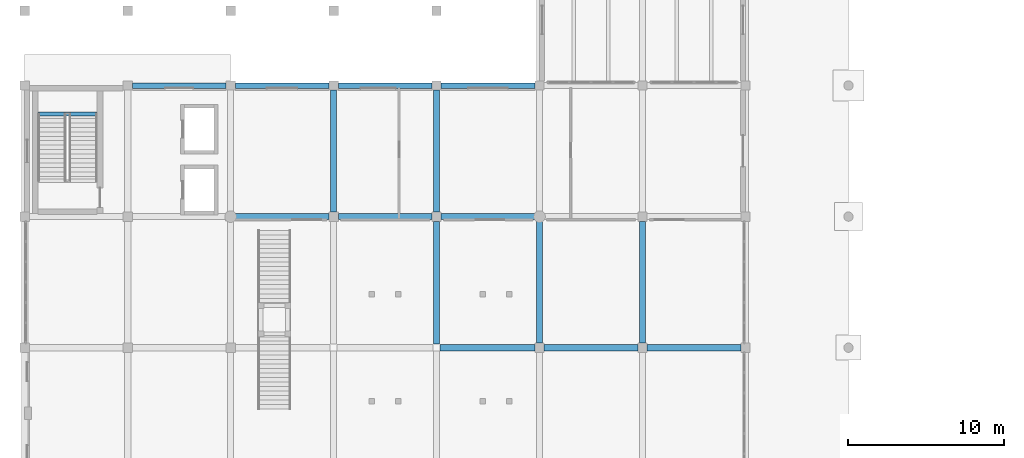
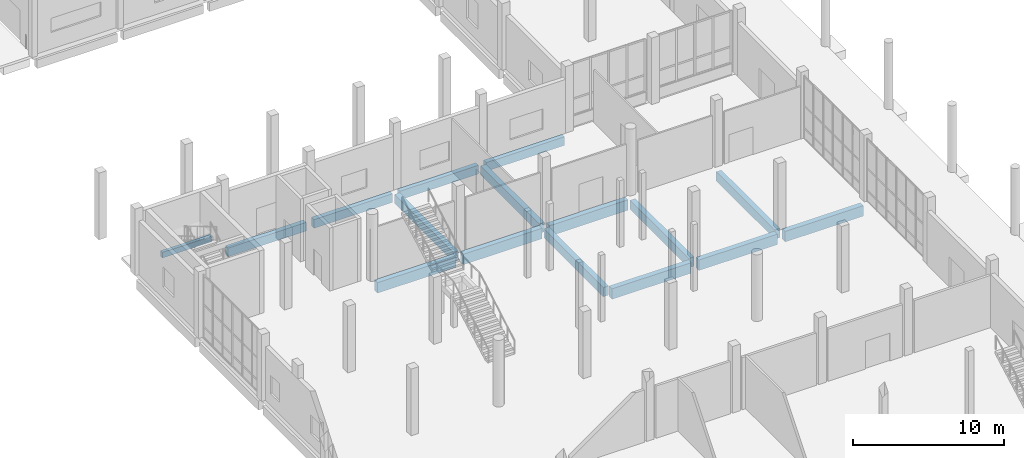
# One storey, part 7 of 64: 16 beams.
"""IFC4 building model written with IfcOpenShell, lengths in metres."""

from ifc_helpers import new_model, si_unit, direction, frame, origin, origin_2d, place, context, subcontext, project, spatial, rectangle, extrude, material, material_profile, profile_set, type_object, element, save


model = new_model("IFC4")

# Units and contexts
model_context = context("Model", 3, precision=1e-05, world=origin(), true_north=direction((0.0, 1.0)))
body_context = subcontext(model_context, "Body", "Model", "MODEL_VIEW")
ifc_project = project(units=[si_unit("LENGTHUNIT", "METRE"), si_unit("AREAUNIT", "SQUARE_METRE"), si_unit("VOLUMEUNIT", "CUBIC_METRE"), si_unit("PLANEANGLEUNIT", "RADIAN"), si_unit("MASSUNIT", "GRAM", prefix="KILO")], contexts=[model_context])

# Site, building, storey
site_placement = place(None, origin())
site = spatial("IfcSite", under=ifc_project, at=site_placement, CompositionType="ELEMENT")
building_placement = place(site_placement, origin())
building = spatial("IfcBuilding", under=site, at=building_placement, Name="Qaldarim Faculty of Natural and Applied Sciences", CompositionType="ELEMENT")
storey_placement = place(building_placement, origin())
storey = spatial("IfcBuildingStorey", under=building, at=storey_placement, Name="L00", CompositionType="ELEMENT", Elevation=0.0)

# Beams
ifc_material_1 = material(Name="Concrete C50/60", Category="concrete")
ifc_material_profile_1 = material_profile(ifc_material_1, rectangle(XDim=0.39990234375, YDim=0.75, at=origin_2d()), Name="RC-B400x750")
ifc_profile_set_1 = profile_set([ifc_material_profile_1], Name="Concrete C50/60")
beam_type_1 = type_object("IfcBeamType", Name="LabGirder-RC400x750", PredefinedType="BEAM", material=ifc_profile_set_1)
beam_1_placement = place(storey_placement, frame((19.800048828125, 75.89990234375, -0.735107421875), z_axis=(0.0, 1.0, 0.0), x_axis=(-1.0, 0.0, 0.0)))
element("IfcBeam", 1, at=beam_1_placement, inside=storey, type_object=beam_type_1, Name="Beam RC-B400x750 B01 X04/Y10-Y11", PredefinedType="BEAM", context=body_context, shape_type="SweptSolid", body=[
    extrude(rectangle(XDim=0.39990234375, YDim=0.75, at=origin_2d()), origin(), (0.0, 0.0, 1.0), 7.800048828125),
])
beam_2_placement = place(storey_placement, frame((26.39990234375, 67.425048828125, -0.735107421875), z_axis=(0.0, 1.0, 0.0), x_axis=(-1.0, 0.0, 0.0)))
element("IfcBeam", 2, at=beam_2_placement, inside=storey, type_object=beam_type_1, Name="Beam RC-B400x750 B01 X05/Y09-Y10", PredefinedType="BEAM", context=body_context, shape_type="SweptSolid", body=[
    extrude(rectangle(XDim=0.39990234375, YDim=0.75, at=origin_2d()), origin(), (0.0, 0.0, 1.0), 7.875),
])
for number, where, z_axis, x_axis, name in (
    (3, (26.39990234375, 75.89990234375, -0.735107421875), (0.0, 1.0, 0.0), (-1.0, 0.0, 0.0), "Beam RC-B400x750 B01 X05/Y10-Y11"),
    (4, (33.0, 67.5, -0.735107421875), (0.0, 1.0, 0.0), (-1.0, 0.0, 0.0), "Beam RC-B400x750 B01 X06/Y09-Y10"),
    (5, (39.60009765625, 67.5, -0.735107421875), (0.0, 1.0, 0.0), (-1.0, 0.0, 0.0), "Beam RC-B400x750 B01 X07/Y09-Y10"),
):
    element("IfcBeam", number, at=place(storey_placement, frame(where, z_axis=z_axis, x_axis=x_axis)), inside=storey, type_object=beam_type_1, Name=name, PredefinedType="BEAM", context=body_context, shape_type="SweptSolid", body=[
        extrude(rectangle(XDim=0.39990234375, YDim=0.75, at=origin_2d()), origin(), (0.0, 0.0, 1.0), 7.800048828125),
    ])
ifc_material_2 = material(Name="Concrete C40/50", Category="concrete")
ifc_material_profile_2 = material_profile(ifc_material_2, rectangle(XDim=0.25, YDim=0.449951171875, at=origin_2d()), Name="RC-LN250x450")
ifc_profile_set_2 = profile_set([ifc_material_profile_2], Name="Concrete C40/50")
beam_type_2 = type_object("IfcBeamType", Name="LandingSupportBeam-RC250x450", PredefinedType="BEAM", material=ifc_profile_set_2)
beam_3_placement = place(storey_placement, frame((0.85009765625, 82.175048828125, 2.264892578125), z_axis=(1.0, 0.0, 0.0), x_axis=(0.0, 1.0, 0.0)))
element("IfcBeam", 6, at=beam_3_placement, inside=storey, type_object=beam_type_2, Name="Stair landing support beam ST-D2 L00", PredefinedType="BEAM", context=body_context, shape_type="SweptSolid", body=[
    extrude(rectangle(XDim=0.25, YDim=0.449951171875, at=origin_2d()), origin(), (0.0, 0.0, 1.0), 3.7998046875),
])
ifc_material_profile_3 = material_profile(ifc_material_1, rectangle(XDim=0.39990234375, YDim=0.85009765625, at=origin_2d()), Name="RC-B400x850")
ifc_profile_set_3 = profile_set([ifc_material_profile_3], Name="Concrete C50/60")
beam_type_3 = type_object("IfcBeamType", Name="PodiumGirder-RC400x850", PredefinedType="BEAM", material=ifc_profile_set_3)
beam_4_placement = place(storey_placement, frame((26.625, 67.199951171875, -0.784912109375), z_axis=(1.0, 0.0, 0.0), x_axis=(0.0, 1.0, 0.0)))
element("IfcBeam", 7, at=beam_4_placement, inside=storey, type_object=beam_type_3, Name="Beam RC-B400x850 B01 X05-X06/Y09", PredefinedType="BEAM", context=body_context, shape_type="SweptSolid", body=[
    extrude(rectangle(XDim=0.39990234375, YDim=0.85009765625, at=origin_2d()), origin(), (0.0, 0.0, 1.0), 6.074951171875),
])
for number, where, z_axis, x_axis, name in (
    (8, (33.300048828125, 67.199951171875, -0.784912109375), (1.0, 0.0, 0.0), (0.0, 1.0, 0.0), "Beam RC-B400x850 B01 X06-X07/Y09"),
    (9, (39.89990234375, 67.199951171875, -0.784912109375), (1.0, 0.0, 0.0), (0.0, 1.0, 0.0), "Beam RC-B400x850 B01 X07-X08/Y09"),
    (10, (13.5, 75.60009765625, -0.784912109375), (1.0, 0.0, 0.0), (0.0, 1.0, 0.0), "Beam RC-B400x850 B01 X03-X04/Y10"),
    (11, (20.10009765625, 75.60009765625, -0.784912109375), (1.0, 0.0, 0.0), (0.0, 1.0, 0.0), "Beam RC-B400x850 B01 X04-X05/Y10"),
    (12, (26.699951171875, 75.60009765625, -0.784912109375), (1.0, 0.0, 0.0), (0.0, 1.0, 0.0), "Beam RC-B400x850 B01 X05-X06/Y10"),
):
    element("IfcBeam", number, at=place(storey_placement, frame(where, z_axis=z_axis, x_axis=x_axis)), inside=storey, type_object=beam_type_3, Name=name, PredefinedType="BEAM", context=body_context, shape_type="SweptSolid", body=[
        extrude(rectangle(XDim=0.39990234375, YDim=0.85009765625, at=origin_2d()), origin(), (0.0, 0.0, 1.0), 6.0),
    ])
ifc_material_profile_4 = material_profile(ifc_material_2, rectangle(XDim=0.35009765625, YDim=0.699951171875, at=origin_2d()), Name="RC-B350x700")
ifc_profile_set_4 = profile_set([ifc_material_profile_4], Name="Concrete C40/50")
beam_type_4 = type_object("IfcBeamType", Name="PrimaryGirder-RC350x700", PredefinedType="BEAM", material=ifc_profile_set_4)
for number, where, z_axis, x_axis, name in (
    (13, (6.89990234375, 84.0, -0.7099609375), (1.0, 0.0, 0.0), (0.0, 1.0, 0.0), "Beam RC-B350x700 B01 X02-X03/Y11"),
    (14, (13.5, 84.0, -0.7099609375), (1.0, 0.0, 0.0), (0.0, 1.0, 0.0), "Beam RC-B350x700 B01 X03-X04/Y11"),
    (15, (20.10009765625, 84.0, -0.7099609375), (1.0, 0.0, 0.0), (0.0, 1.0, 0.0), "Beam RC-B350x700 B01 X04-X05/Y11"),
    (16, (26.699951171875, 84.0, -0.7099609375), (1.0, 0.0, 0.0), (0.0, 1.0, 0.0), "Beam RC-B350x700 B01 X05-X06/Y11"),
):
    element("IfcBeam", number, at=place(storey_placement, frame(where, z_axis=z_axis, x_axis=x_axis)), inside=storey, type_object=beam_type_4, Name=name, PredefinedType="BEAM", context=body_context, shape_type="SweptSolid", body=[
        extrude(rectangle(XDim=0.35009765625, YDim=0.699951171875, at=origin_2d()), origin(), (0.0, 0.0, 1.0), 6.0),
    ])

save(model, "model.ifc")
